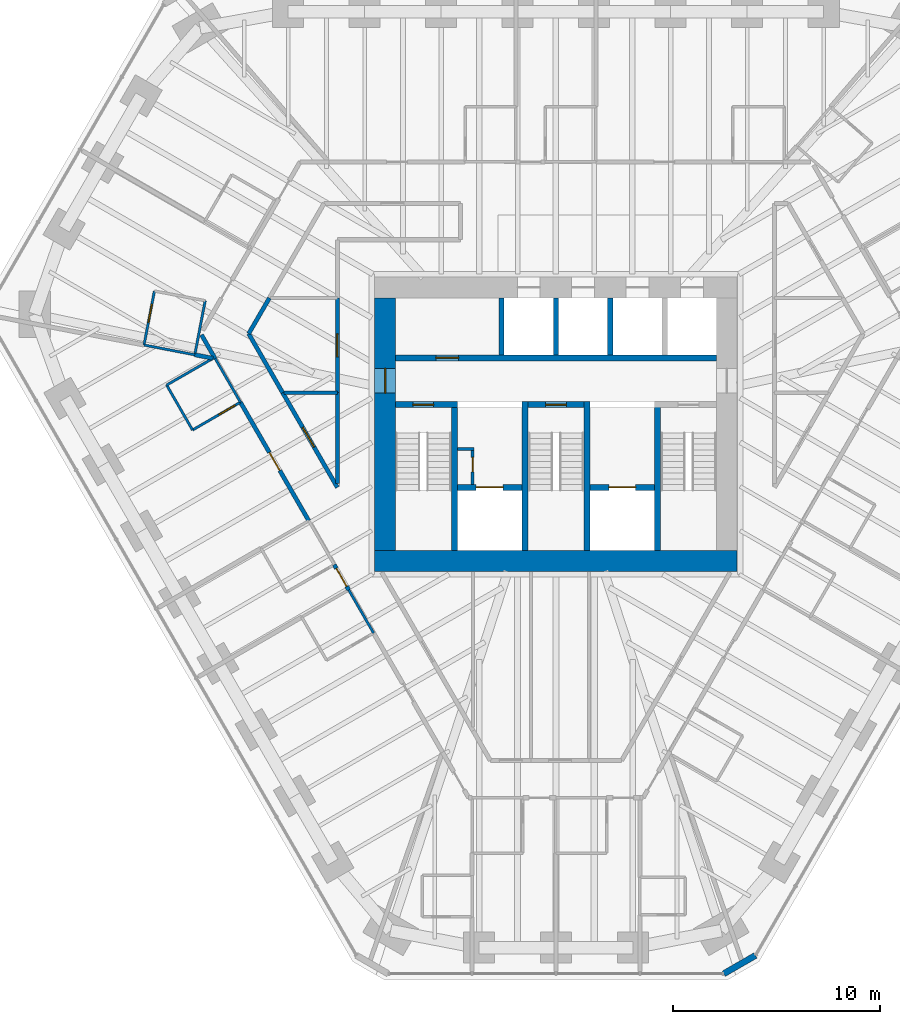
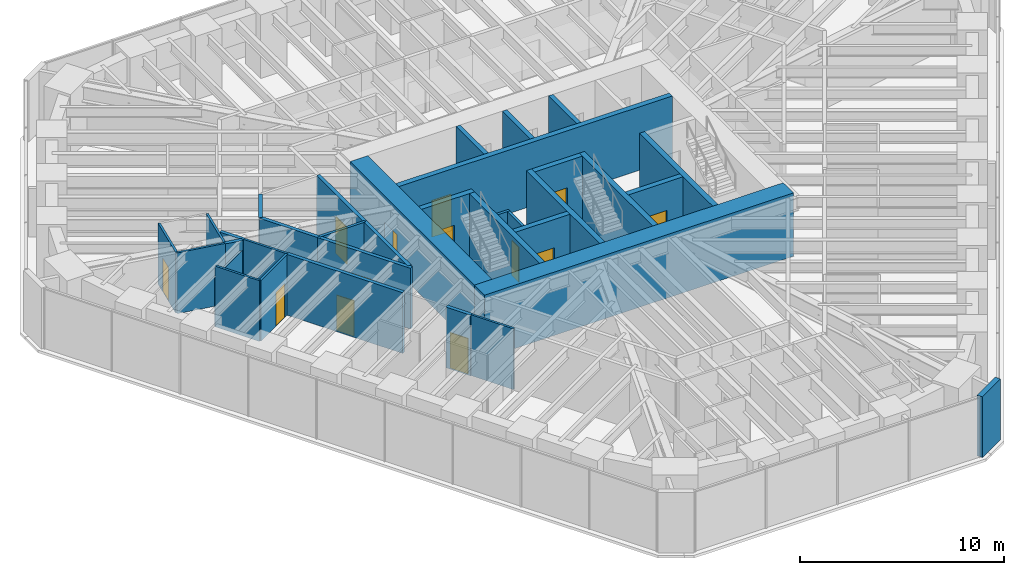
# One storey, part 12 of 16: 35 walls, 13 doors, 13 openings.
"""IFC4 building model written with IfcOpenShell, lengths in metres."""

from ifc_helpers import new_model, si_unit, direction, frame, frame_2d, origin, place, context, subcontext, project, spatial, rectangle, extrude, material, layer, layer_set, type_object, element, fill, save


model = new_model("IFC4")

# Units and contexts
model_context = context("Model", 3, precision=1e-05, world=origin(), true_north=direction((0.0, 1.0)))
body_context = subcontext(model_context, "Body", "Model", "MODEL_VIEW")
ifc_project = project(units=[si_unit("LENGTHUNIT", "METRE"), si_unit("AREAUNIT", "SQUARE_METRE"), si_unit("VOLUMEUNIT", "CUBIC_METRE"), si_unit("PLANEANGLEUNIT", "RADIAN"), si_unit("MASSUNIT", "GRAM", prefix="KILO")], contexts=[model_context])

# Site, building, storey
site_placement = place(None, origin())
site = spatial("IfcSite", under=ifc_project, at=site_placement, CompositionType="ELEMENT")
building_placement = place(site_placement, origin())
building = spatial("IfcBuilding", under=site, at=building_placement, Name="Sandreach Pilgrim Tower", CompositionType="ELEMENT")
storey_placement = place(building_placement, frame((0.0, 0.0, 187.0)))
storey = spatial("IfcBuildingStorey", under=building, at=storey_placement, Name="L46", CompositionType="ELEMENT", Elevation=187.0)

# Walls
ifc_material_1 = material(Name="Gypsum board on steel studs", Category="steel")
ifc_layer_1 = layer(ifc_material_1, 0.14990234375)
ifc_layer_set_1 = layer_set([ifc_layer_1], Name="Back of house wall 150")
wall_type_1 = type_object("IfcWallType", Name="Back of house wall 150", PredefinedType="PARTITIONING", material=ifc_layer_set_1)
wall_1_placement = place(storey_placement, frame((-10.550048828125, 1.52001953125, 0.0), z_axis=(0.0, 0.0, 1.0), x_axis=(-1.0, 0.0, 0.0)))
element("IfcWall", 1, at=wall_1_placement, inside=storey, type_object=wall_type_1, Name="Back of house wall L46-039", PredefinedType="PARTITIONING", context=body_context, shape_type="SweptSolid", body=[
    extrude(rectangle(XDim=2.5849609375, YDim=0.14990234375, at=frame_2d((1.29248046875, 0.0))), origin(), (0.0, 0.0, 1.0), 3.639892578125),
])
ifc_material_2 = material(Name="Moisture-resistant gypsum board on steel studs", Category="steel")
ifc_layer_2 = layer(ifc_material_2, 0.1201171875)
ifc_layer_set_2 = layer_set([ifc_layer_2], Name="Bathroom partition 120")
wall_type_2 = type_object("IfcWallType", Name="Bathroom partition 120", PredefinedType="PARTITIONING", material=ifc_layer_set_2)
wall_2_placement = place(storey_placement, frame((-19.88134765625, 3.82275390625, 0.0), z_axis=(0.0, 0.0, 1.0), x_axis=(0.981896775229, -0.189416796496, 0.0)))
element("IfcWall", 2, at=wall_2_placement, inside=storey, type_object=wall_type_2, Name="Bathroom partition L46-002", PredefinedType="PARTITIONING", context=body_context, shape_type="SweptSolid", body=[
    extrude(rectangle(XDim=2.49658203125, YDim=0.1201171875, at=frame_2d((1.248291015625, 0.0))), origin(), (0.0, 0.0, 1.0), 3.639892578125),
])

# Wall, opening, door
wall_3_placement = place(storey_placement, frame((-19.3798828125, 6.429931640625, 0.0), z_axis=(0.0, 0.0, 1.0), x_axis=(-0.18885765444, -0.982004473696, 0.0)))
wall_3 = element("IfcWall", 3, at=wall_3_placement, inside=storey, type_object=wall_type_2, Name="Bathroom partition L46-003", PredefinedType="PARTITIONING", context=body_context, shape_type="SweptSolid", body=[
    extrude(rectangle(XDim=2.6474609375, YDim=0.1201171875, at=frame_2d((1.32373046875, 0.0))), origin(), (0.0, 0.0, 1.0), 3.639892578125),
])
opening_1_placement = place(wall_3_placement, frame((0.64990234375, 0.0, 0.0)))
opening_1 = element("IfcOpeningElement", 4, at=opening_1_placement, cuts=wall_3, Name="Opening D09-16B", PredefinedType="OPENING", context=body_context, shape_type="SweptSolid", body=[
    extrude(rectangle(XDim=0.89990234375, YDim=2.030029296875, at=frame_2d((0.449951171875, 1.01513671875))), frame((0.0, 0.06005859375, 0.0), z_axis=(0.0, -1.0, 0.0), x_axis=(1.0, 0.0, 0.0)), (0.0, 0.0, 1.0), 0.1201171875),
])
ifc_material_3 = material(Name="Timber door, steel frame", Category="steel")
door_type_1 = type_object("IfcDoorType", Name="Bathroom door", OperationType="SINGLE_SWING_LEFT", PredefinedType="DOOR", material=ifc_material_3)
door_1_placement = place(opening_1_placement, origin())
door_1 = element("IfcDoor", 5, at=door_1_placement, inside=storey, type_object=door_type_1, Name="Door 4616B", OperationType="SINGLE_SWING_LEFT", OverallHeight=2.030029296875, OverallWidth=0.89990234375, PredefinedType="DOOR", context=body_context, shape_type="SweptSolid", body=[
    extrude(rectangle(XDim=0.89990234375, YDim=2.030029296875, at=frame_2d((0.449951171875, 1.01513671875))), frame((0.0, 0.02490234375, 0.0), z_axis=(0.0, -1.0, 0.0), x_axis=(1.0, 0.0, 0.0)), (0.0, 0.0, 1.0), 0.050048828125),
])
fill(opening_1, door_1)

# Wall
wall_4_placement = place(storey_placement, frame((-18.7900390625, 1.889892578125, 0.0), z_axis=(0.0, 0.0, 1.0), x_axis=(0.499159685399, -0.866510016372, 0.0)))
element("IfcWall", 6, at=wall_4_placement, inside=storey, type_object=wall_type_2, Name="Bathroom partition L46-005", PredefinedType="PARTITIONING", context=body_context, shape_type="SweptSolid", body=[
    extrude(rectangle(XDim=2.504150390625, YDim=0.1201171875, at=frame_2d((1.251953125, 0.0))), origin(), (0.0, 0.0, 1.0), 3.639892578125),
])

# Wall, opening, door
wall_5_placement = place(storey_placement, frame((-17.5400390625, -0.280029296875, 0.0), z_axis=(0.0, 0.0, 1.0), x_axis=(0.86498992408, 0.501789229896, 0.0)))
wall_5 = element("IfcWall", 7, at=wall_5_placement, inside=storey, type_object=wall_type_2, Name="Bathroom partition L46-006", PredefinedType="PARTITIONING", context=body_context, shape_type="SweptSolid", body=[
    extrude(rectangle(XDim=2.670654296875, YDim=0.1201171875, at=frame_2d((1.33544921875, 0.0))), origin(), (0.0, 0.0, 1.0), 3.639892578125),
])
opening_2_placement = place(wall_5_placement, frame((1.470458984375, 0.0, 0.0)))
opening_2 = element("IfcOpeningElement", 8, at=opening_2_placement, cuts=wall_5, Name="Opening D09-15B", PredefinedType="OPENING", context=body_context, shape_type="SweptSolid", body=[
    extrude(rectangle(XDim=0.89990234375, YDim=2.030029296875, at=frame_2d((0.449951171875, 1.01513671875))), frame((0.0, 0.06005859375, 0.0), z_axis=(0.0, -1.0, 0.0), x_axis=(1.0, 0.0, 0.0)), (0.0, 0.0, 1.0), 0.1201171875),
])
door_2_placement = place(opening_2_placement, origin())
door_2 = element("IfcDoor", 9, at=door_2_placement, inside=storey, type_object=door_type_1, Name="Door 4615B", OperationType="SINGLE_SWING_RIGHT", OverallHeight=2.030029296875, OverallWidth=0.89990234375, PredefinedType="DOOR", context=body_context, shape_type="SweptSolid", body=[
    extrude(rectangle(XDim=0.89990234375, YDim=2.030029296875, at=frame_2d((0.449951171875, 1.01513671875))), frame((0.0, 0.02490234375, 0.0), z_axis=(0.0, -1.0, 0.0), x_axis=(1.0, 0.0, 0.0)), (0.0, 0.0, 1.0), 0.050048828125),
])
fill(opening_2, door_2)

# Walls
wall_6_placement = place(storey_placement, frame((-17.429931640625, 3.35009765625, 0.0), z_axis=(0.0, 0.0, 1.0), x_axis=(0.188159009227, 0.982138578433, 0.0)))
element("IfcWall", 10, at=wall_6_placement, inside=storey, type_object=wall_type_2, Name="Bathroom partition L46-007", PredefinedType="PARTITIONING", context=body_context, shape_type="SweptSolid", body=[
    extrude(rectangle(XDim=2.6572265625, YDim=0.1201171875, at=frame_2d((1.32861328125, 0.0))), origin(), (0.0, 0.0, 1.0), 3.639892578125),
])
wall_7_placement = place(storey_placement, frame((-16.623779296875, 3.1376953125, 0.0), z_axis=(0.0, 0.0, 1.0), x_axis=(-0.866525185869, -0.499133351175, 0.0)))
element("IfcWall", 11, at=wall_7_placement, inside=storey, type_object=wall_type_2, Name="Bathroom partition L46-014", PredefinedType="PARTITIONING", context=body_context, shape_type="SweptSolid", body=[
    extrude(rectangle(XDim=2.5, YDim=0.1201171875, at=frame_2d((1.25, 0.0))), origin(), (0.0, 0.0, 1.0), 3.0380859375),
])
wall_8_placement = place(storey_placement, frame((-16.44677734375, 3.171875, 0.0), z_axis=(0.0, 0.0, 1.0), x_axis=(0.500329330271, -0.865835181354, 0.0)))
element("IfcWall", 12, at=wall_8_placement, inside=storey, type_object=wall_type_2, Name="Bathroom partition L46-015", PredefinedType="PARTITIONING", context=body_context, shape_type="SweptSolid", body=[
    extrude(rectangle(XDim=2.437255859375, YDim=0.1201171875, at=frame_2d((1.21875, 0.0))), origin(), (0.0, 0.0, 1.0), 3.639892578125),
])
wall_9_placement = place(storey_placement, frame((-10.0, -8.0, 0.0), z_axis=(0.0, 0.0, 1.0), x_axis=(0.499693115345, -0.866202511239, 0.0)))
element("IfcWall", 13, at=wall_9_placement, inside=storey, type_object=wall_type_2, Name="Bathroom partition L46-043", PredefinedType="PARTITIONING", context=body_context, shape_type="SweptSolid", body=[
    extrude(rectangle(XDim=2.4013671875, YDim=0.1201171875, at=frame_2d((1.20068359375, 0.0))), origin(), (0.0, 0.0, 1.0), 3.639892578125),
])
ifc_material_4 = material(Name="Concrete 10000 psi", Category="concrete")
ifc_layer_3 = layer(ifc_material_4, 0.300048828125)
ifc_layer_set_3 = layer_set([ifc_layer_3], Name="Core inner wall 300")
wall_type_3 = type_object("IfcWallType", Name="Core inner wall 300", PredefinedType="SHEAR", material=ifc_layer_set_3)
for number, where, z_axis, x_axis, name in (
    (14, (-4.89990234375, -6.10009765625, 0.0), (0.0, 0.0, 1.0), (0.0, 1.0, 0.0), "Core wall I0 L46"),
    (15, (-1.5, -6.10009765625, 0.0), (0.0, 0.0, 1.0), (0.0, 1.0, 0.0), "Core wall I1 L46"),
    (16, (1.5, -6.10009765625, 0.0), (0.0, 0.0, 1.0), (0.0, 1.0, 0.0), "Core wall I2 L46"),
    (17, (4.89990234375, -6.10009765625, 0.0), (0.0, 0.0, 1.0), (0.0, 1.0, 0.0), "Core wall I3 L46"),
):
    element("IfcWall", number, at=place(storey_placement, frame(where, z_axis=z_axis, x_axis=x_axis)), inside=storey, type_object=wall_type_3, Name=name, PredefinedType="SHEAR", context=body_context, shape_type="SweptSolid", body=[
        extrude(rectangle(XDim=7.2001953125, YDim=0.300048828125, at=frame_2d((3.60009765625, 0.0))), origin(), (0.0, 0.0, 1.0), 3.800048828125),
    ])

# Wall, opening, door
wall_10_placement = place(storey_placement, frame((-7.75, 0.949951171875, 0.0), z_axis=(0.0, 0.0, 1.0), x_axis=(1.0, 0.0, 0.0)))
wall_10 = element("IfcWall", 18, at=wall_10_placement, inside=storey, type_object=wall_type_3, Name="Core wall SN1 L46", PredefinedType="SHEAR", context=body_context, shape_type="SweptSolid", body=[
    extrude(rectangle(XDim=3.0, YDim=0.300048828125, at=frame_2d((1.5, 0.0))), origin(), (0.0, 0.0, 1.0), 3.800048828125),
])
opening_3_placement = place(wall_10_placement, frame((0.85009765625, 0.0, 0.0)))
opening_3 = element("IfcOpeningElement", 19, at=opening_3_placement, cuts=wall_10, Name="Opening D10S-ST1", PredefinedType="OPENING", context=body_context, shape_type="SweptSolid", body=[
    extrude(rectangle(XDim=1.0, YDim=2.199951171875, at=frame_2d((0.5, 1.10009765625))), frame((0.0, 0.14990234375, 0.0), z_axis=(0.0, -1.0, 0.0), x_axis=(1.0, 0.0, 0.0)), (0.0, 0.0, 1.0), 0.300048828125),
])
ifc_material_5 = material(Name="Steel door and frame", Category="steel")
door_type_2 = type_object("IfcDoorType", Name="Stair door", OperationType="SINGLE_SWING_LEFT", PredefinedType="DOOR", material=ifc_material_5)
door_3_placement = place(opening_3_placement, origin())
door_3 = element("IfcDoor", 20, at=door_3_placement, inside=storey, type_object=door_type_2, Name="Stair door ST1 L46", OperationType="SINGLE_SWING_LEFT", OverallHeight=2.199951171875, OverallWidth=1.0, PredefinedType="DOOR", context=body_context, shape_type="SweptSolid", body=[
    extrude(rectangle(XDim=1.0, YDim=2.199951171875, at=frame_2d((0.5, 1.10009765625))), frame((0.0, 0.02490234375, 0.0), z_axis=(0.0, -1.0, 0.0), x_axis=(1.0, 0.0, 0.0)), (0.0, 0.0, 1.0), 0.050048828125),
])
fill(opening_3, door_3)

wall_11_placement = place(storey_placement, frame((-1.35009765625, 0.949951171875, 0.0), z_axis=(0.0, 0.0, 1.0), x_axis=(1.0, 0.0, 0.0)))
wall_11 = element("IfcWall", 21, at=wall_11_placement, inside=storey, type_object=wall_type_3, Name="Core wall SN3 L46", PredefinedType="SHEAR", context=body_context, shape_type="SweptSolid", body=[
    extrude(rectangle(XDim=2.7001953125, YDim=0.300048828125, at=frame_2d((1.35009765625, 0.0))), origin(), (0.0, 0.0, 1.0), 3.800048828125),
])
opening_4_placement = place(wall_11_placement, frame((0.85009765625, 0.0, 0.0)))
opening_4 = element("IfcOpeningElement", 22, at=opening_4_placement, cuts=wall_11, Name="Opening D10S-ST3", PredefinedType="OPENING", context=body_context, shape_type="SweptSolid", body=[
    extrude(rectangle(XDim=1.0, YDim=2.199951171875, at=frame_2d((0.5, 1.10009765625))), frame((0.0, 0.14990234375, 0.0), z_axis=(0.0, -1.0, 0.0), x_axis=(1.0, 0.0, 0.0)), (0.0, 0.0, 1.0), 0.300048828125),
])
door_4_placement = place(opening_4_placement, origin())
door_4 = element("IfcDoor", 23, at=door_4_placement, inside=storey, type_object=door_type_2, Name="Stair door ST3 L46", OperationType="SINGLE_SWING_LEFT", OverallHeight=2.199951171875, OverallWidth=1.0, PredefinedType="DOOR", context=body_context, shape_type="SweptSolid", body=[
    extrude(rectangle(XDim=1.0, YDim=2.199951171875, at=frame_2d((0.5, 1.10009765625))), frame((0.0, 0.02490234375, 0.0), z_axis=(0.0, -1.0, 0.0), x_axis=(1.0, 0.0, 0.0)), (0.0, 0.0, 1.0), 0.050048828125),
])
fill(opening_4, door_4)

wall_12_placement = place(storey_placement, frame((-4.75, -3.050048828125, 0.0), z_axis=(0.0, 0.0, 1.0), x_axis=(1.0, 0.0, 0.0)))
wall_12 = element("IfcWall", 24, at=wall_12_placement, inside=storey, type_object=wall_type_3, Name="Core wall FL1 L46", PredefinedType="SHEAR", context=body_context, shape_type="SweptSolid", body=[
    extrude(rectangle(XDim=3.10009765625, YDim=0.300048828125, at=frame_2d((1.550048828125, 0.0))), origin(), (0.0, 0.0, 1.0), 3.800048828125),
])
opening_5_placement = place(wall_12_placement, frame((0.89990234375, 0.0, 0.0)))
opening_5 = element("IfcOpeningElement", 25, at=opening_5_placement, cuts=wall_12, Name="Opening LD13", PredefinedType="OPENING", context=body_context, shape_type="SweptSolid", body=[
    extrude(rectangle(XDim=1.300048828125, YDim=2.10009765625, at=frame_2d((0.64990234375, 1.050048828125))), frame((0.0, 0.14990234375, 0.0), z_axis=(0.0, -1.0, 0.0), x_axis=(1.0, 0.0, 0.0)), (0.0, 0.0, 1.0), 0.300048828125),
])
ifc_material_6 = material(Name="Steel door and frame", Category="steel")
door_type_3 = type_object("IfcDoorType", Name="Fire service lift landing door", OperationType="DOUBLE_DOOR_SLIDING", PredefinedType="DOOR", material=ifc_material_6)
door_5_placement = place(opening_5_placement, origin())
door_5 = element("IfcDoor", 26, at=door_5_placement, inside=storey, type_object=door_type_3, Name="Lift landing door FS1 L46", OperationType="DOUBLE_DOOR_SLIDING", OverallHeight=2.10009765625, OverallWidth=1.300048828125, PredefinedType="DOOR", context=body_context, shape_type="SweptSolid", body=[
    extrude(rectangle(XDim=1.300048828125, YDim=2.10009765625, at=frame_2d((0.64990234375, 1.050048828125))), frame((0.0, 0.02490234375, 0.0), z_axis=(0.0, -1.0, 0.0), x_axis=(1.0, 0.0, 0.0)), (0.0, 0.0, 1.0), 0.050048828125),
])
fill(opening_5, door_5)

wall_13_placement = place(storey_placement, frame((1.64990234375, -3.050048828125, 0.0), z_axis=(0.0, 0.0, 1.0), x_axis=(1.0, 0.0, 0.0)))
wall_13 = element("IfcWall", 27, at=wall_13_placement, inside=storey, type_object=wall_type_3, Name="Core wall FL2 L46", PredefinedType="SHEAR", context=body_context, shape_type="SweptSolid", body=[
    extrude(rectangle(XDim=3.10009765625, YDim=0.300048828125, at=frame_2d((1.550048828125, 0.0))), origin(), (0.0, 0.0, 1.0), 3.800048828125),
])
opening_6_placement = place(wall_13_placement, frame((0.89990234375, 0.0, 0.0)))
opening_6 = element("IfcOpeningElement", 28, at=opening_6_placement, cuts=wall_13, Name="Opening LD13", PredefinedType="OPENING", context=body_context, shape_type="SweptSolid", body=[
    extrude(rectangle(XDim=1.300048828125, YDim=2.10009765625, at=frame_2d((0.64990234375, 1.050048828125))), frame((0.0, 0.14990234375, 0.0), z_axis=(0.0, -1.0, 0.0), x_axis=(1.0, 0.0, 0.0)), (0.0, 0.0, 1.0), 0.300048828125),
])
door_6_placement = place(opening_6_placement, origin())
door_6 = element("IfcDoor", 29, at=door_6_placement, inside=storey, type_object=door_type_3, Name="Lift landing door FS2 L46", OperationType="DOUBLE_DOOR_SLIDING", OverallHeight=2.10009765625, OverallWidth=1.300048828125, PredefinedType="DOOR", context=body_context, shape_type="SweptSolid", body=[
    extrude(rectangle(XDim=1.300048828125, YDim=2.10009765625, at=frame_2d((0.64990234375, 1.050048828125))), frame((0.0, 0.02490234375, 0.0), z_axis=(0.0, -1.0, 0.0), x_axis=(1.0, 0.0, 0.0)), (0.0, 0.0, 1.0), 0.050048828125),
])
fill(opening_6, door_6)

wall_14_placement = place(storey_placement, frame((-7.75, 3.199951171875, 0.0), z_axis=(0.0, 0.0, 1.0), x_axis=(1.0, 0.0, 0.0)))
wall_14 = element("IfcWall", 30, at=wall_14_placement, inside=storey, type_object=wall_type_3, Name="Core wall PN L46", PredefinedType="SHEAR", context=body_context, shape_type="SweptSolid", body=[
    extrude(rectangle(XDim=15.5, YDim=0.300048828125, at=frame_2d((7.75, 0.0))), origin(), (0.0, 0.0, 1.0), 3.800048828125),
])
opening_7_placement = place(wall_14_placement, frame((1.949951171875, 0.0, 0.0)))
opening_7 = element("IfcOpeningElement", 31, at=opening_7_placement, cuts=wall_14, Name="Opening D11L", PredefinedType="OPENING", context=body_context, shape_type="SweptSolid", body=[
    extrude(rectangle(XDim=1.10009765625, YDim=2.199951171875, at=frame_2d((0.550048828125, 1.10009765625))), frame((0.0, 0.14990234375, 0.0), z_axis=(0.0, -1.0, 0.0), x_axis=(1.0, 0.0, 0.0)), (0.0, 0.0, 1.0), 0.300048828125),
])
ifc_material_7 = material(Name="Steel door and frame, smoke seals", Category="steel")
door_type_4 = type_object("IfcDoorType", Name="Core room door", OperationType="SINGLE_SWING_LEFT", PredefinedType="DOOR", material=ifc_material_7)
door_7_placement = place(opening_7_placement, origin())
door_7 = element("IfcDoor", 32, at=door_7_placement, inside=storey, type_object=door_type_4, Name="Door linen and housekeeping store 46K1", OperationType="SINGLE_SWING_LEFT", OverallHeight=2.199951171875, OverallWidth=1.10009765625, PredefinedType="DOOR", context=body_context, shape_type="SweptSolid", body=[
    extrude(rectangle(XDim=1.10009765625, YDim=2.199951171875, at=frame_2d((0.550048828125, 1.10009765625))), frame((0.0, 0.02490234375, 0.0), z_axis=(0.0, -1.0, 0.0), x_axis=(1.0, 0.0, 0.0)), (0.0, 0.0, 1.0), 0.050048828125),
])
fill(opening_7, door_7)

# Wall
ifc_material_8 = material(Name="Concrete 10000 psi", Category="concrete")
ifc_layer_4 = layer(ifc_material_8, 1.0)
ifc_layer_set_4 = layer_set([ifc_layer_4], Name="Core wall 1000")
wall_type_4 = type_object("IfcWallType", Name="Core wall 1000", PredefinedType="SHEAR", material=ifc_layer_set_4)
wall_15_placement = place(storey_placement, frame((-8.75, -6.60009765625, 0.0), z_axis=(0.0, 0.0, 1.0), x_axis=(1.0, 0.0, 0.0)))
element("IfcWall", 33, at=wall_15_placement, inside=storey, type_object=wall_type_4, Name="Core wall S L46", PredefinedType="SHEAR", context=body_context, shape_type="SweptSolid", body=[
    extrude(rectangle(XDim=17.5, YDim=1.0, at=frame_2d((8.75, 0.0))), origin(), (0.0, 0.0, 1.0), 3.800048828125),
])

# Wall, opening, door
wall_16_placement = place(storey_placement, frame((-8.25, -6.10009765625, 0.0), z_axis=(0.0, 0.0, 1.0), x_axis=(0.0, 1.0, 0.0)))
wall_16 = element("IfcWall", 34, at=wall_16_placement, inside=storey, type_object=wall_type_4, Name="Core wall W L46", PredefinedType="SHEAR", context=body_context, shape_type="SweptSolid", body=[
    extrude(rectangle(XDim=12.2001953125, YDim=1.0, at=frame_2d((6.10009765625, 0.0))), origin(), (0.0, 0.0, 1.0), 3.800048828125),
])
opening_8_placement = place(wall_16_placement, frame((7.60009765625, 0.0, 0.0)))
opening_8 = element("IfcOpeningElement", 35, at=opening_8_placement, cuts=wall_16, Name="Opening D12F-W", PredefinedType="OPENING", context=body_context, shape_type="SweptSolid", body=[
    extrude(rectangle(XDim=1.199951171875, YDim=2.199951171875, at=frame_2d((0.60009765625, 1.10009765625))), frame((0.0, 0.5, 0.0), z_axis=(0.0, -1.0, 0.0), x_axis=(1.0, 0.0, 0.0)), (0.0, 0.0, 1.0), 1.0),
])
ifc_material_9 = material(Name="Steel door and frame", Category="steel")
door_type_5 = type_object("IfcDoorType", Name="Fire lobby door", OperationType="SINGLE_SWING_LEFT", PredefinedType="DOOR", material=ifc_material_9)
door_8_placement = place(opening_8_placement, origin())
door_8 = element("IfcDoor", 36, at=door_8_placement, inside=storey, type_object=door_type_5, Name="Fire service lobby door W L46", OperationType="SINGLE_SWING_RIGHT", OverallHeight=2.199951171875, OverallWidth=1.199951171875, PredefinedType="DOOR", context=body_context, shape_type="SweptSolid", body=[
    extrude(rectangle(XDim=1.199951171875, YDim=2.199951171875, at=frame_2d((0.60009765625, 1.10009765625))), frame((0.0, 0.02490234375, 0.0), z_axis=(0.0, -1.0, 0.0), x_axis=(1.0, 0.0, 0.0)), (0.0, 0.0, 1.0), 0.050048828125),
])
fill(opening_8, door_8)

# Wall
ifc_material_10 = material(Name="Gypsum board on steel studs, two layers each side", Category="steel")
ifc_layer_5 = layer(ifc_material_10, 0.199951171875)
ifc_layer_set_5 = layer_set([ifc_layer_5], Name="Corridor wall 200")
wall_type_5 = type_object("IfcWallType", Name="Corridor wall 200", PredefinedType="PARTITIONING", material=ifc_layer_set_5)
wall_17_placement = place(storey_placement, frame((-17.107666015625, 4.313720703125, 0.0), z_axis=(0.0, 0.0, 1.0), x_axis=(0.498488506644, -0.866896307954, 0.0)))
element("IfcWall", 37, at=wall_17_placement, inside=storey, type_object=wall_type_5, Name="Corridor wall L46-010", PredefinedType="PARTITIONING", context=body_context, shape_type="SweptSolid", body=[
    extrude(rectangle(XDim=1.3193359375, YDim=0.199951171875, at=frame_2d((0.65966796875, 0.0))), origin(), (0.0, 0.0, 1.0), 3.639892578125),
])

# Wall, opening, door
wall_18_placement = place(storey_placement, frame((-15.22998046875, 1.06005859375, 0.0), z_axis=(0.0, 0.0, 1.0), x_axis=(0.499729921425, -0.866181277581, 0.0)))
wall_18 = element("IfcWall", 38, at=wall_18_placement, inside=storey, type_object=wall_type_5, Name="Corridor wall L46-017", PredefinedType="PARTITIONING", context=body_context, shape_type="SweptSolid", body=[
    extrude(rectangle(XDim=6.603759765625, YDim=0.199951171875, at=frame_2d((3.3017578125, 0.0))), origin(), (0.0, 0.0, 1.0), 3.639892578125),
])
opening_9_placement = place(wall_18_placement, frame((2.802001953125, 0.0, 0.0)))
opening_9 = element("IfcOpeningElement", 39, at=opening_9_placement, cuts=wall_18, Name="Opening D10-15", PredefinedType="OPENING", context=body_context, shape_type="SweptSolid", body=[
    extrude(rectangle(XDim=1.0, YDim=2.1298828125, at=frame_2d((0.5, 1.06494140625))), frame((0.0, 0.10009765625, 0.0), z_axis=(0.0, -1.0, 0.0), x_axis=(1.0, 0.0, 0.0)), (0.0, 0.0, 1.0), 0.199951171875),
])
ifc_material_11 = material(Name="Steel door and frame", Category="steel")
door_type_6 = type_object("IfcDoorType", Name="Guest room entry door", OperationType="SINGLE_SWING_LEFT", PredefinedType="DOOR", material=ifc_material_11)
door_9_placement = place(opening_9_placement, origin())
door_9 = element("IfcDoor", 40, at=door_9_placement, inside=storey, type_object=door_type_6, Name="Door 4615", OperationType="SINGLE_SWING_LEFT", OverallHeight=2.1298828125, OverallWidth=1.0, PredefinedType="DOOR", context=body_context, shape_type="SweptSolid", body=[
    extrude(rectangle(XDim=1.0, YDim=2.1298828125, at=frame_2d((0.5, 1.06494140625))), frame((0.0, 0.02490234375, 0.0), z_axis=(0.0, -1.0, 0.0), x_axis=(1.0, 0.0, 0.0)), (0.0, 0.0, 1.0), 0.050048828125),
])
fill(opening_9, door_9)

# Walls
wall_19_placement = place(storey_placement, frame((-14.830078125, 4.3701171875, 0.0), z_axis=(0.0, 0.0, 1.0), x_axis=(0.502626855825, 0.864503466623, 0.0)))
element("IfcWall", 41, at=wall_19_placement, inside=storey, type_object=wall_type_5, Name="Corridor wall L46-019", PredefinedType="PARTITIONING", context=body_context, shape_type="SweptSolid", body=[
    extrude(rectangle(XDim=1.989501953125, YDim=0.199951171875, at=frame_2d((0.99462890625, 0.0))), origin(), (0.0, 0.0, 1.0), 3.639892578125),
])
wall_20_placement = place(storey_placement, frame((-13.18994140625, 1.52001953125, 0.0), z_axis=(0.0, 0.0, 1.0), x_axis=(-0.498775186059, 0.866731396554, 0.0)))
element("IfcWall", 42, at=wall_20_placement, inside=storey, type_object=wall_type_5, Name="Corridor wall L46-028", PredefinedType="PARTITIONING", context=body_context, shape_type="SweptSolid", body=[
    extrude(rectangle(XDim=3.288330078125, YDim=0.199951171875, at=frame_2d((1.64404296875, 0.0))), origin(), (0.0, 0.0, 1.0), 3.639892578125),
])

# Wall, opening, door
wall_21_placement = place(storey_placement, frame((-10.699951171875, -6.780029296875, 0.0), z_axis=(0.0, 0.0, 1.0), x_axis=(0.49643800013, -0.868072181346, 0.0)))
wall_21 = element("IfcWall", 43, at=wall_21_placement, inside=storey, type_object=wall_type_5, Name="Corridor wall L46-037", PredefinedType="PARTITIONING", context=body_context, shape_type="SweptSolid", body=[
    extrude(rectangle(XDim=1.406494140625, YDim=0.199951171875, at=frame_2d((0.703125, 0.0))), origin(), (0.0, 0.0, 1.0), 3.639892578125),
])
opening_10_placement = place(wall_21_placement, frame((0.203369140625, 0.0, 0.0)))
opening_10 = element("IfcOpeningElement", 44, at=opening_10_placement, cuts=wall_21, Name="Opening D10-14", PredefinedType="OPENING", context=body_context, shape_type="SweptSolid", body=[
    extrude(rectangle(XDim=1.0, YDim=2.1298828125, at=frame_2d((0.5, 1.06494140625))), frame((0.0, 0.10009765625, 0.0), z_axis=(0.0, -1.0, 0.0), x_axis=(1.0, 0.0, 0.0)), (0.0, 0.0, 1.0), 0.199951171875),
])
door_10_placement = place(opening_10_placement, origin())
door_10 = element("IfcDoor", 45, at=door_10_placement, inside=storey, type_object=door_type_6, Name="Door 4614", OperationType="SINGLE_SWING_LEFT", OverallHeight=2.1298828125, OverallWidth=1.0, PredefinedType="DOOR", context=body_context, shape_type="SweptSolid", body=[
    extrude(rectangle(XDim=1.0, YDim=2.1298828125, at=frame_2d((0.5, 1.06494140625))), frame((0.0, 0.02490234375, 0.0), z_axis=(0.0, -1.0, 0.0), x_axis=(1.0, 0.0, 0.0)), (0.0, 0.0, 1.0), 0.050048828125),
])
fill(opening_10, door_10)

wall_22_placement = place(storey_placement, frame((-10.550048828125, -3.050048828125, 0.0), z_axis=(0.0, 0.0, 1.0), x_axis=(-0.500193590286, 0.865913605527, 0.0)))
wall_22 = element("IfcWall", 46, at=wall_22_placement, inside=storey, type_object=wall_type_5, Name="Corridor wall L46-038", PredefinedType="PARTITIONING", context=body_context, shape_type="SweptSolid", body=[
    extrude(rectangle(XDim=5.27783203125, YDim=0.199951171875, at=frame_2d((2.638916015625, 0.0))), origin(), (0.0, 0.0, 1.0), 3.639892578125),
])
opening_11_placement = place(wall_22_placement, frame((2.25, 0.0, 0.0)))
opening_11 = element("IfcOpeningElement", 47, at=opening_11_placement, cuts=wall_22, Name="Opening D11H-M02", PredefinedType="OPENING", context=body_context, shape_type="SweptSolid", body=[
    extrude(rectangle(XDim=1.10009765625, YDim=2.199951171875, at=frame_2d((0.550048828125, 1.10009765625))), frame((0.0, 0.10009765625, 0.0), z_axis=(0.0, -1.0, 0.0), x_axis=(1.0, 0.0, 0.0)), (0.0, 0.0, 1.0), 0.199951171875),
])
ifc_material_12 = material(Name="Steel door and frame", Category="steel")
door_type_7 = type_object("IfcDoorType", Name="Back of house door", OperationType="SINGLE_SWING_LEFT", PredefinedType="DOOR", material=ifc_material_12)
door_11_placement = place(opening_11_placement, origin())
door_11 = element("IfcDoor", 48, at=door_11_placement, inside=storey, type_object=door_type_7, Name="Door 46M02", OperationType="SINGLE_SWING_RIGHT", OverallHeight=2.199951171875, OverallWidth=1.10009765625, PredefinedType="DOOR", context=body_context, shape_type="SweptSolid", body=[
    extrude(rectangle(XDim=1.10009765625, YDim=2.199951171875, at=frame_2d((0.550048828125, 1.10009765625))), frame((0.0, 0.02490234375, 0.0), z_axis=(0.0, -1.0, 0.0), x_axis=(1.0, 0.0, 0.0)), (0.0, 0.0, 1.0), 0.050048828125),
])
fill(opening_11, door_11)

# Wall
wall_23_placement = place(storey_placement, frame((-10.550048828125, 1.52001953125, 0.0), z_axis=(0.0, 0.0, 1.0), x_axis=(0.0, -1.0, 0.0)))
element("IfcWall", 49, at=wall_23_placement, inside=storey, type_object=wall_type_5, Name="Corridor wall L46-040", PredefinedType="PARTITIONING", context=body_context, shape_type="SweptSolid", body=[
    extrude(rectangle(XDim=4.375, YDim=0.199951171875, at=frame_2d((2.1875, 0.0))), origin(), (0.0, 0.0, 1.0), 3.639892578125),
])

# Wall, opening, door
wall_24_placement = place(storey_placement, frame((-10.550048828125, 6.090087890625, 0.0), z_axis=(0.0, 0.0, 1.0), x_axis=(0.0, -1.0, 0.0)))
wall_24 = element("IfcWall", 50, at=wall_24_placement, inside=storey, type_object=wall_type_5, Name="Corridor wall L46-041", PredefinedType="PARTITIONING", context=body_context, shape_type="SweptSolid", body=[
    extrude(rectangle(XDim=4.570068359375, YDim=0.199951171875, at=frame_2d((2.28515625, 0.0))), origin(), (0.0, 0.0, 1.0), 3.639892578125),
])
opening_12_placement = place(wall_24_placement, frame((1.735107421875, 0.0, 0.0)))
opening_12 = element("IfcOpeningElement", 51, at=opening_12_placement, cuts=wall_24, Name="Opening D11H-M01", PredefinedType="OPENING", context=body_context, shape_type="SweptSolid", body=[
    extrude(rectangle(XDim=1.10009765625, YDim=2.199951171875, at=frame_2d((0.550048828125, 1.10009765625))), frame((0.0, 0.10009765625, 0.0), z_axis=(0.0, -1.0, 0.0), x_axis=(1.0, 0.0, 0.0)), (0.0, 0.0, 1.0), 0.199951171875),
])
door_12_placement = place(opening_12_placement, origin())
door_12 = element("IfcDoor", 52, at=door_12_placement, inside=storey, type_object=door_type_7, Name="Door 46M01", OperationType="SINGLE_SWING_LEFT", OverallHeight=2.199951171875, OverallWidth=1.10009765625, PredefinedType="DOOR", context=body_context, shape_type="SweptSolid", body=[
    extrude(rectangle(XDim=1.10009765625, YDim=2.199951171875, at=frame_2d((0.550048828125, 1.10009765625))), frame((0.0, 0.02490234375, 0.0), z_axis=(0.0, -1.0, 0.0), x_axis=(1.0, 0.0, 0.0)), (0.0, 0.0, 1.0), 0.050048828125),
])
fill(opening_12, door_12)

# Wall
ifc_material_13 = material(Name="Double steel stud acoustic wall, gypsum board", Category="steel")
ifc_layer_6 = layer(ifc_material_13, 0.199951171875)
ifc_layer_set_6 = layer_set([ifc_layer_6], Name="Party wall 200")
wall_type_6 = type_object("IfcWallType", Name="Party wall 200", PredefinedType="PARTITIONING", material=ifc_layer_set_6)
wall_25_placement = place(storey_placement, frame((-17.429931640625, 3.349853515625, 0.0), z_axis=(0.0, 0.0, 1.0), x_axis=(0.981858463983, -0.189615286052, 0.0)))
element("IfcWall", 53, at=wall_25_placement, inside=storey, type_object=wall_type_6, Name="Party wall L46-008", PredefinedType="PARTITIONING", context=body_context, shape_type="SweptSolid", body=[
    extrude(rectangle(XDim=0.896240234375, YDim=0.199951171875, at=frame_2d((0.4482421875, 0.0))), origin(), (0.0, 0.0, 1.0), 3.639892578125),
])

# Wall, opening, door
ifc_material_14 = material(Name="Gypsum shaft wall on steel studs, shaft liner board", Category="steel")
ifc_layer_7 = layer(ifc_material_14, 0.14990234375)
ifc_layer_set_7 = layer_set([ifc_layer_7], Name="Riser shaft wall 150")
wall_type_7 = type_object("IfcWallType", Name="Riser shaft wall 150", PredefinedType="PARTITIONING", material=ifc_layer_set_7)
wall_26_placement = place(storey_placement, frame((-4.02490234375, -2.89990234375, 0.0), z_axis=(0.0, 0.0, 1.0), x_axis=(0.0, 1.0, 0.0)))
wall_26 = element("IfcWall", 54, at=wall_26_placement, inside=storey, type_object=wall_type_7, Name="Riser partition L46 side", PredefinedType="PARTITIONING", context=body_context, shape_type="SweptSolid", body=[
    extrude(rectangle(XDim=1.77490234375, YDim=0.14990234375, at=frame_2d((0.887451171875, 0.0))), origin(), (0.0, 0.0, 1.0), 3.639892578125),
])
opening_13_placement = place(wall_26_placement, frame((0.60009765625, 0.0, 0.0)))
opening_13 = element("IfcOpeningElement", 55, at=opening_13_placement, cuts=wall_26, Name="Opening D07R", PredefinedType="OPENING", context=body_context, shape_type="SweptSolid", body=[
    extrude(rectangle(XDim=0.699951171875, YDim=2.10009765625, at=frame_2d((0.35009765625, 1.050048828125))), frame((0.0, 0.074951171875, 0.0), z_axis=(0.0, -1.0, 0.0), x_axis=(1.0, 0.0, 0.0)), (0.0, 0.0, 1.0), 0.14990234375),
])
ifc_material_15 = material(Name="Steel door and frame, smoke seals", Category="steel")
door_type_8 = type_object("IfcDoorType", Name="Riser access door", OperationType="SINGLE_SWING_RIGHT", PredefinedType="DOOR", material=ifc_material_15)
door_13_placement = place(opening_13_placement, origin())
door_13 = element("IfcDoor", 56, at=door_13_placement, inside=storey, type_object=door_type_8, Name="Door riser 46ER", OperationType="SINGLE_SWING_RIGHT", OverallHeight=2.10009765625, OverallWidth=0.699951171875, PredefinedType="DOOR", context=body_context, shape_type="SweptSolid", body=[
    extrude(rectangle(XDim=0.699951171875, YDim=2.10009765625, at=frame_2d((0.35009765625, 1.050048828125))), frame((0.0, 0.02490234375, 0.0), z_axis=(0.0, -1.0, 0.0), x_axis=(1.0, 0.0, 0.0)), (0.0, 0.0, 1.0), 0.050048828125),
])
fill(opening_13, door_13)

# Walls
wall_27_placement = place(storey_placement, frame((-4.75, -1.199951171875, 0.0), z_axis=(0.0, 0.0, 1.0), x_axis=(1.0, 0.0, 0.0)))
element("IfcWall", 57, at=wall_27_placement, inside=storey, type_object=wall_type_7, Name="Riser partition L46 front", PredefinedType="PARTITIONING", context=body_context, shape_type="SweptSolid", body=[
    extrude(rectangle(XDim=0.800048828125, YDim=0.14990234375, at=frame_2d((0.39990234375, 0.0))), origin(), (0.0, 0.0, 1.0), 3.639892578125),
])
ifc_material_16 = material(Name="Gypsum shaft wall on steel studs, two layers of shaft liner board", Category="steel")
ifc_layer_8 = layer(ifc_material_16, 0.25)
ifc_layer_set_8 = layer_set([ifc_layer_8], Name="Shaft partition 250")
wall_type_8 = type_object("IfcWallType", Name="Shaft partition 250", PredefinedType="PARTITIONING", material=ifc_layer_set_8)
for number, where, z_axis, x_axis, name in (
    (58, (-2.625, 3.35009765625, 0.0), (0.0, 0.0, 1.0), (0.0, 1.0, 0.0), "Shaft partition NS1 L46"),
    (59, (0.0, 3.35009765625, 0.0), (0.0, 0.0, 1.0), (0.0, 1.0, 0.0), "Shaft partition NS2 L46"),
    (60, (2.625, 3.35009765625, 0.0), (0.0, 0.0, 1.0), (0.0, 1.0, 0.0), "Shaft partition NS3 L46"),
):
    element("IfcWall", number, at=place(storey_placement, frame(where, z_axis=z_axis, x_axis=x_axis)), inside=storey, type_object=wall_type_8, Name=name, PredefinedType="PARTITIONING", context=body_context, shape_type="SweptSolid", body=[
        extrude(rectangle(XDim=2.75, YDim=0.25, at=frame_2d((1.375, 0.0))), origin(), (0.0, 0.0, 1.0), 3.800048828125),
    ])
ifc_material_17 = material(Name="Terracotta rainscreen on concrete", Category="masonry")
ifc_layer_9 = layer(ifc_material_17, 0.300048828125)
ifc_layer_set_9 = layer_set([ifc_layer_9], Name="Terracotta chamfer pier")
wall_type_9 = type_object("IfcWallType", Name="Terracotta chamfer pier", PredefinedType="SOLIDWALL", material=ifc_layer_set_9)
wall_28_placement = place(storey_placement, frame((9.63037109375, -25.64013671875, 0.0), z_axis=(0.0, 0.0, 1.0), x_axis=(-0.866036293601, -0.499981137809, 0.0)))
element("IfcWall", 61, at=wall_28_placement, inside=storey, type_object=wall_type_9, Name="Chamfer pier L46 SE", PredefinedType="SOLIDWALL", context=body_context, shape_type="SweptSolid", body=[
    extrude(rectangle(XDim=1.77001953125, YDim=0.300048828125, at=frame_2d((0.885009765625, 0.0))), origin(), (0.0, 0.0, 1.0), 3.639892578125),
])

save(model, "model.ifc")
